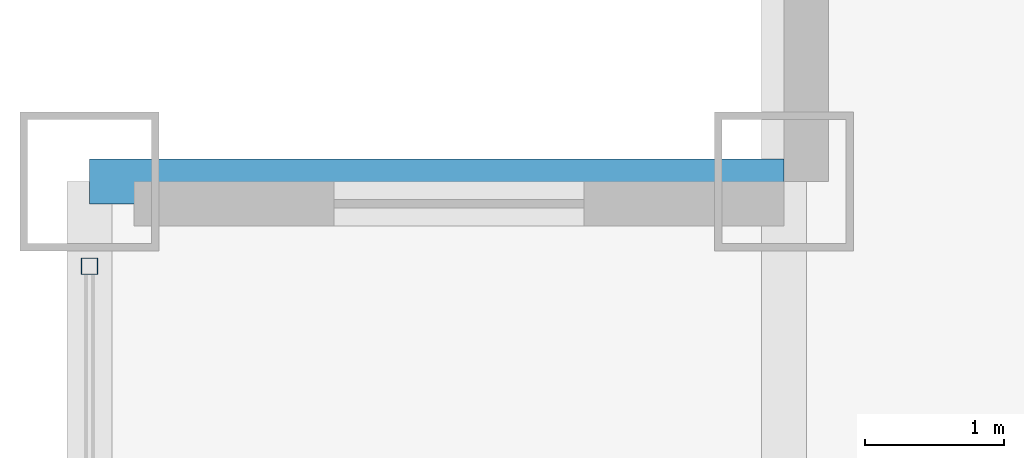
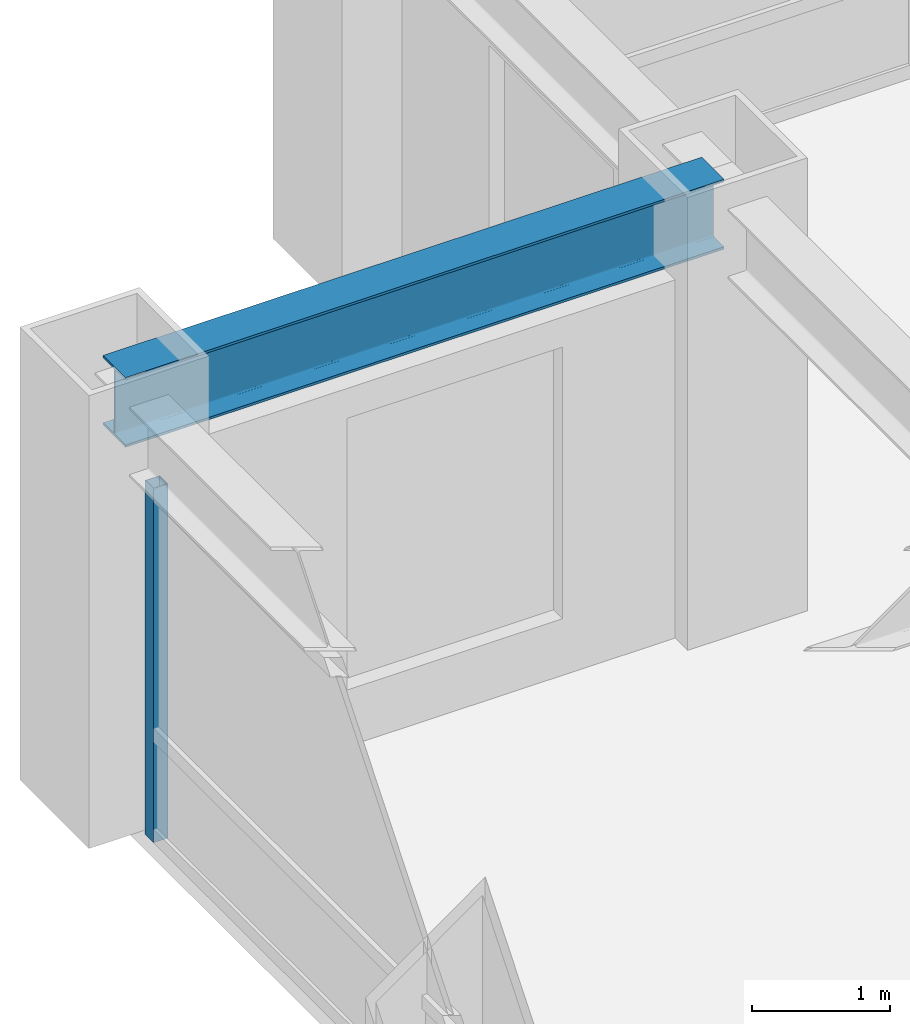
# One storey, part 12 of 29: 1 beam, 1 member, 1 element without a shape of its own.
"""IFC4 building model written with IfcOpenShell, lengths in metres."""

from ifc_helpers import new_model, si_unit, direction, frame, origin, origin_2d, place, context, subcontext, project, spatial, hollow_rectangle, i_section, extrude, source, transform, mapped, material, material_profile, profile_set, type_object, element, aggregate, save


model = new_model("IFC4")

# Units and contexts
model_context = context("Model", 3, precision=1e-05, world=origin(), true_north=direction((0.0, 1.0)))
body_context = subcontext(model_context, "Body", "Model", "MODEL_VIEW")
ifc_project = project(units=[si_unit("LENGTHUNIT", "METRE"), si_unit("AREAUNIT", "SQUARE_METRE"), si_unit("VOLUMEUNIT", "CUBIC_METRE"), si_unit("PLANEANGLEUNIT", "RADIAN"), si_unit("MASSUNIT", "GRAM", prefix="KILO")], contexts=[model_context])

# Site, building, storey
site_placement = place(None, origin())
site = spatial("IfcSite", under=ifc_project, at=site_placement, CompositionType="ELEMENT")
building_placement = place(site_placement, origin())
building = spatial("IfcBuilding", under=site, at=building_placement, Name="Khorayat Bourse Tower", CompositionType="ELEMENT")
storey_placement = place(building_placement, frame((0.0, 0.0, 235.10009765625)))
storey = spatial("IfcBuildingStorey", under=building, at=storey_placement, Name="L55", CompositionType="ELEMENT", Elevation=235.10009765625)

# Beam
ifc_material_1 = material(Name="Steel ASTM A992 Grade 50", Category="steel")
ifc_material_profile_1 = material_profile(ifc_material_1, i_section(OverallWidth=0.324951171875, OverallDepth=0.615966796875, WebThickness=0.013916015625, FlangeThickness=0.021484375, FilletRadius=0.01611328125, at=origin_2d()), Name="W610X174")
ifc_profile_set_1 = profile_set([ifc_material_profile_1], Name="Steel ASTM A992 Grade 50")
beam_type = type_object("IfcBeamType", Name="BM-SPAN-610", PredefinedType="SPANDREL", material=ifc_profile_set_1)
shared_shape_1 = source(origin(), body_context, "Body", "SweptSolid", [
    extrude(i_section(OverallWidth=0.324951171875, OverallDepth=0.615966796875, WebThickness=0.013916015625, FlangeThickness=0.021484375, FilletRadius=0.01611328125, at=origin_2d()), origin(), (0.0, 0.0, 1.0), 5.0),
])
beam_placement = place(storey_placement, frame((-30.0, 25.0, 3.471923828125), z_axis=(1.0, 0.0, 0.0), x_axis=(0.0, 1.0, 0.0)))
element("IfcBeam", 1, at=beam_placement, inside=storey, type_object=beam_type, Name="L55 BM-SPAN-610 BM-L55-SPN-053", PredefinedType="SPANDREL", context=body_context, shape_type="MappedRepresentation", body=[
    mapped(shared_shape_1, transform((0.0, 0.0, 0.0), scale=1.0)),
])

# Curtain wall, member
ifc_material_2 = material(Name="Aluminium EN AW-6063 T6", Category="aluminium")
curtain_wall_type = type_object("IfcCurtainWallType", Name="CW-SYS-03", PredefinedType="NOTDEFINED", material=ifc_material_2)
curtain_wall_placement = place(storey_placement, origin())
curtain_wall = element("IfcCurtainWall", 2, at=curtain_wall_placement, inside=storey, type_object=curtain_wall_type, Name="L55 Curtain Wall CW-L55-W1", PredefinedType="NOTDEFINED")
ifc_material_profile_2 = material_profile(ifc_material_2, hollow_rectangle(XDim=0.1201171875, YDim=0.1201171875, WallThickness=0.0048828125, at=origin_2d()), Name="ALU 120x120x5")
ifc_profile_set_2 = profile_set([ifc_material_profile_2], Name="Aluminium EN AW-6063 T6")
member_type = type_object("IfcMemberType", Name="CWM-VERT-120", PredefinedType="MULLION", material=ifc_profile_set_2)
shared_shape_2 = source(origin(), body_context, "Body", "SweptSolid", [
    extrude(hollow_rectangle(XDim=0.1201171875, YDim=0.1201171875, WallThickness=0.0048828125, at=origin_2d()), origin(), (0.0, 0.0, 1.0), 3.1298828125),
])
member_placement = place(storey_placement, frame((-30.0, 24.389892578125, 0.0), z_axis=(0.0, 0.0, 1.0), x_axis=(-1.0, 0.0, 0.0)))
member = element("IfcMember", 3, at=member_placement, type_object=member_type, Name="CW-L55-W1 Vertical Mullion 3", PredefinedType="MULLION", context=body_context, shape_type="MappedRepresentation", body=[
    mapped(shared_shape_2, transform((0.0, 0.0, 0.0), scale=1.0)),
])
aggregate(curtain_wall, [member])

save(model, "model.ifc")
